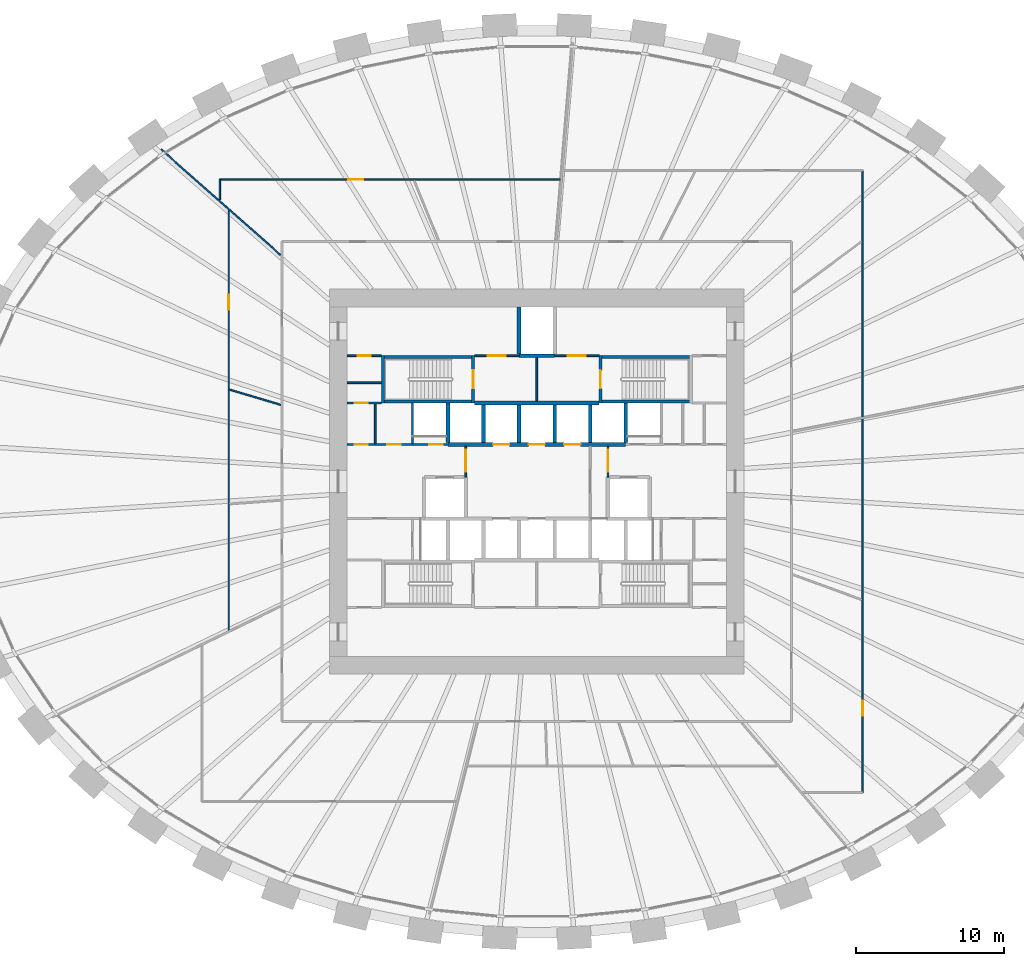
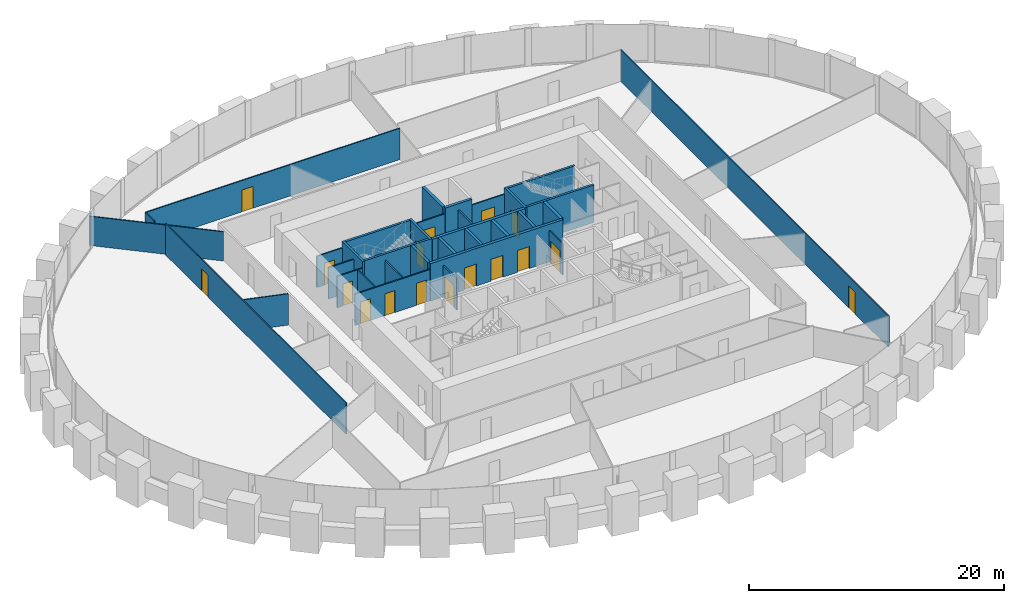
# One storey, part 8 of 10: 34 walls, 17 doors, 17 openings.
"""IFC4 building model written with IfcOpenShell, lengths in metres."""

from ifc_helpers import new_model, si_unit, direction, frame, frame_2d, origin, place, context, subcontext, project, spatial, rectangle, extrude, source, transform, mapped, material, layer, layer_set, type_object, element, fill, save


model = new_model("IFC4")

# Units and contexts
model_context = context("Model", 3, precision=1e-05, world=origin(), true_north=direction((0.0, 1.0)))
body_context = subcontext(model_context, "Body", "Model", "MODEL_VIEW")
ifc_project = project(units=[si_unit("LENGTHUNIT", "METRE"), si_unit("AREAUNIT", "SQUARE_METRE"), si_unit("VOLUMEUNIT", "CUBIC_METRE"), si_unit("PLANEANGLEUNIT", "RADIAN"), si_unit("MASSUNIT", "GRAM", prefix="KILO")], contexts=[model_context])

# Site, building, storey
site_placement = place(None, origin())
site = spatial("IfcSite", under=ifc_project, at=site_placement, CompositionType="ELEMENT")
building_placement = place(site_placement, origin())
building = spatial("IfcBuilding", under=site, at=building_placement, Name="Embergate Tower", CompositionType="ELEMENT")
storey_placement = place(building_placement, frame((0.0, 0.0, 121.10009765625)))
storey = spatial("IfcBuildingStorey", under=building, at=storey_placement, Name="L26", CompositionType="ELEMENT", Elevation=121.10009765625)

# Wall, openings, doors
ifc_material_1 = material(Name="Core partition blockwork 120")
ifc_layer_1 = layer(ifc_material_1, 0.1201171875)
ifc_layer_set_1 = layer_set([ifc_layer_1], Name="Core partition blockwork 120")
wall_type_1 = type_object("IfcWallType", Name="Core partition blockwork 120", PredefinedType="PARTITIONING", material=ifc_layer_set_1)
shared_shape_1 = source(origin(), body_context, "Body", "SweptSolid", [
    extrude(rectangle(XDim=6.800048828125, YDim=0.1201171875, at=frame_2d((3.39990234375, 0.0))), origin(), (0.0, 0.0, 1.0), 3.0),
])
wall_1_placement = place(storey_placement, frame((-12.800048828125, 2.5, 0.0), z_axis=(0.0, 0.0, 1.0), x_axis=(1.0, 0.0, 0.0)))
wall_1 = element("IfcWall", 1, at=wall_1_placement, inside=storey, type_object=wall_type_1, Name="IP-3 wall", PredefinedType="PARTITIONING", context=body_context, shape_type="MappedRepresentation", body=[
    mapped(shared_shape_1, transform((0.0, 0.0, 0.0))),
])
shared_shape_2 = source(origin(), body_context, "Body", "SweptSolid", [
    extrude(rectangle(XDim=0.89990234375, YDim=2.10009765625, at=frame_2d((0.449951171875, 1.050048828125))), frame((0.0, 0.070068359375, 0.0), z_axis=(0.0, -1.0, 0.0), x_axis=(1.0, 0.0, 0.0)), (0.0, 0.0, 1.0), 0.14013671875),
])
opening_1_placement = place(wall_1_placement, frame((5.550048828125, 0.0, 0.0)))
opening_1 = element("IfcOpeningElement", 2, at=opening_1_placement, cuts=wall_1, Name="Opening ID-1", PredefinedType="OPENING", context=body_context, shape_type="MappedRepresentation", body=[
    mapped(shared_shape_2, transform((0.0, 0.0, 0.0))),
])
opening_2_placement = place(wall_1_placement, frame((0.49609375, 0.0, 0.0)))
opening_2 = element("IfcOpeningElement", 3, at=opening_2_placement, cuts=wall_1, Name="Opening ID-1", PredefinedType="OPENING", context=body_context, shape_type="MappedRepresentation", body=[
    mapped(shared_shape_2, transform((0.0, 0.0, 0.0))),
])
opening_3_placement = place(wall_1_placement, frame((2.696044921875, 0.0, 0.0)))
opening_3 = element("IfcOpeningElement", 4, at=opening_3_placement, cuts=wall_1, Name="Opening ID-1", PredefinedType="OPENING", context=body_context, shape_type="MappedRepresentation", body=[
    mapped(shared_shape_2, transform((0.0, 0.0, 0.0))),
])
ifc_material_2 = material(Name="Interior door 900")
door_type_1 = type_object("IfcDoorType", Name="Interior door 900", OperationType="SINGLE_SWING_LEFT", PredefinedType="DOOR", material=ifc_material_2)
shared_shape_3 = source(origin(), body_context, "Body", "SweptSolid", [
    extrude(rectangle(XDim=0.89990234375, YDim=2.10009765625, at=frame_2d((0.449951171875, 1.050048828125))), frame((0.0, 0.02490234375, 0.0), z_axis=(0.0, -1.0, 0.0), x_axis=(1.0, 0.0, 0.0)), (0.0, 0.0, 1.0), 0.050048828125),
])
door_1_placement = place(opening_1_placement, origin())
door_1 = element("IfcDoor", 5, at=door_1_placement, inside=storey, type_object=door_type_1, Name="ID-1 door", OperationType="SINGLE_SWING_LEFT", OverallHeight=2.10009765625, OverallWidth=0.89990234375, PredefinedType="DOOR", context=body_context, shape_type="MappedRepresentation", body=[
    mapped(shared_shape_3, transform((0.0, 0.0, 0.0))),
])
fill(opening_1, door_1)
door_2_placement = place(opening_2_placement, origin())
door_2 = element("IfcDoor", 6, at=door_2_placement, inside=storey, type_object=door_type_1, Name="ID-1 door", OperationType="SINGLE_SWING_RIGHT", OverallHeight=2.10009765625, OverallWidth=0.89990234375, PredefinedType="DOOR", context=body_context, shape_type="MappedRepresentation", body=[
    mapped(shared_shape_3, transform((0.0, 0.0, 0.0))),
])
fill(opening_2, door_2)
door_3_placement = place(opening_3_placement, origin())
door_3 = element("IfcDoor", 7, at=door_3_placement, inside=storey, type_object=door_type_1, Name="ID-1 door", OperationType="SINGLE_SWING_RIGHT", OverallHeight=2.10009765625, OverallWidth=0.89990234375, PredefinedType="DOOR", context=body_context, shape_type="MappedRepresentation", body=[
    mapped(shared_shape_3, transform((0.0, 0.0, 0.0))),
])
fill(opening_3, door_3)

# Wall
shared_shape_4 = source(origin(), body_context, "Body", "SweptSolid", [
    extrude(rectangle(XDim=2.739990234375, YDim=0.1201171875, at=frame_2d((1.3701171875, 0.0))), origin(), (0.0, 0.0, 1.0), 3.0),
])
wall_2_placement = place(storey_placement, frame((-8.39990234375, 5.300048828125, 0.0), z_axis=(0.0, 0.0, 1.0), x_axis=(0.0, -1.0, 0.0)))
element("IfcWall", 8, at=wall_2_placement, inside=storey, type_object=wall_type_1, Name="IP-3 wall", PredefinedType="PARTITIONING", context=body_context, shape_type="MappedRepresentation", body=[
    mapped(shared_shape_4, transform((0.0, 0.0, 0.0))),
])

# Wall, opening, door
shared_shape_5 = source(origin(), body_context, "Body", "SweptSolid", [
    extrude(rectangle(XDim=2.074951171875, YDim=0.1201171875, at=frame_2d((1.03759765625, 0.0))), origin(), (0.0, 0.0, 1.0), 3.0),
])
wall_3_placement = place(storey_placement, frame((-4.800048828125, 2.375, 0.0), z_axis=(0.0, 0.0, 1.0), x_axis=(0.0, -1.0, 0.0)))
wall_3 = element("IfcWall", 9, at=wall_3_placement, inside=storey, type_object=wall_type_1, Name="IP-3 wall", PredefinedType="PARTITIONING", context=body_context, shape_type="MappedRepresentation", body=[
    mapped(shared_shape_5, transform((0.0, 0.0, 0.0))),
])
shared_shape_6 = source(origin(), body_context, "Body", "SweptSolid", [
    extrude(rectangle(XDim=1.5, YDim=2.10009765625, at=frame_2d((0.75, 1.050048828125))), frame((0.0, 0.070068359375, 0.0), z_axis=(0.0, -1.0, 0.0), x_axis=(1.0, 0.0, 0.0)), (0.0, 0.0, 1.0), 0.14013671875),
])
opening_4_placement = place(wall_3_placement, frame((0.22509765625, 0.0, 0.0)))
opening_4 = element("IfcOpeningElement", 10, at=opening_4_placement, cuts=wall_3, Name="Opening IF-3", PredefinedType="OPENING", context=body_context, shape_type="MappedRepresentation", body=[
    mapped(shared_shape_6, transform((0.0, 0.0, 0.0))),
])
ifc_material_3 = material(Name="Lobby fire door pair 1500")
door_type_2 = type_object("IfcDoorType", Name="Lobby fire door pair 1500", OperationType="DOUBLE_DOOR_SINGLE_SWING", PredefinedType="DOOR", material=ifc_material_3)
shared_shape_7 = source(origin(), body_context, "Body", "SweptSolid", [
    extrude(rectangle(XDim=1.5, YDim=2.10009765625, at=frame_2d((0.75, 1.050048828125))), frame((0.0, 0.02490234375, 0.0), z_axis=(0.0, -1.0, 0.0), x_axis=(1.0, 0.0, 0.0)), (0.0, 0.0, 1.0), 0.050048828125),
])
door_4_placement = place(opening_4_placement, origin())
door_4 = element("IfcDoor", 11, at=door_4_placement, inside=storey, type_object=door_type_2, Name="IF-3 door", OperationType="DOUBLE_DOOR_SINGLE_SWING", OverallHeight=2.10009765625, OverallWidth=1.5, PredefinedType="DOOR", context=body_context, shape_type="MappedRepresentation", body=[
    mapped(shared_shape_7, transform((0.0, 0.0, 0.0))),
])
fill(opening_4, door_4)

wall_4_placement = place(storey_placement, frame((4.800048828125, 0.300048828125, 0.0), z_axis=(0.0, 0.0, 1.0), x_axis=(0.0, 1.0, 0.0)))
wall_4 = element("IfcWall", 12, at=wall_4_placement, inside=storey, type_object=wall_type_1, Name="IP-3 wall", PredefinedType="PARTITIONING", context=body_context, shape_type="MappedRepresentation", body=[
    mapped(shared_shape_5, transform((0.0, 0.0, 0.0))),
])
opening_5_placement = place(wall_4_placement, frame((0.35009765625, 0.0, 0.0)))
opening_5 = element("IfcOpeningElement", 13, at=opening_5_placement, cuts=wall_4, Name="Opening IF-3", PredefinedType="OPENING", context=body_context, shape_type="MappedRepresentation", body=[
    mapped(shared_shape_6, transform((0.0, 0.0, 0.0))),
])
door_5_placement = place(opening_5_placement, origin())
door_5 = element("IfcDoor", 14, at=door_5_placement, inside=storey, type_object=door_type_2, Name="IF-3 door", OperationType="DOUBLE_DOOR_SINGLE_SWING", OverallHeight=2.10009765625, OverallWidth=1.5, PredefinedType="DOOR", context=body_context, shape_type="MappedRepresentation", body=[
    mapped(shared_shape_7, transform((0.0, 0.0, 0.0))),
])
fill(opening_5, door_5)

# Wall
shared_shape_8 = source(origin(), body_context, "Body", "SweptSolid", [
    extrude(rectangle(XDim=2.949951171875, YDim=0.1201171875, at=frame_2d((1.47509765625, 0.0))), origin(), (0.0, 0.0, 1.0), 3.0),
])
wall_5_placement = place(storey_placement, frame((0.0, 5.425048828125, 0.0), z_axis=(0.0, 0.0, 1.0), x_axis=(0.0, 1.0, 0.0)))
element("IfcWall", 15, at=wall_5_placement, inside=storey, type_object=wall_type_1, Name="IP-3 wall", PredefinedType="PARTITIONING", context=body_context, shape_type="MappedRepresentation", body=[
    mapped(shared_shape_8, transform((0.0, 0.0, 0.0))),
])

# Wall, opening, door
shared_shape_9 = source(origin(), body_context, "Body", "SweptSolid", [
    extrude(rectangle(XDim=3.0, YDim=0.1201171875, at=frame_2d((1.5, 0.0))), origin(), (0.0, 0.0, 1.0), 3.0),
])
wall_6_placement = place(storey_placement, frame((-1.199951171875, 8.5, 0.0), z_axis=(0.0, 0.0, 1.0), x_axis=(-1.0, 0.0, 0.0)))
wall_6 = element("IfcWall", 16, at=wall_6_placement, inside=storey, type_object=wall_type_1, Name="IP-3 wall", PredefinedType="PARTITIONING", context=body_context, shape_type="MappedRepresentation", body=[
    mapped(shared_shape_9, transform((0.0, 0.0, 0.0))),
])
shared_shape_10 = source(origin(), body_context, "Body", "SweptSolid", [
    extrude(rectangle(XDim=1.199951171875, YDim=2.10009765625, at=frame_2d((0.60009765625, 1.050048828125))), frame((0.0, 0.070068359375, 0.0), z_axis=(0.0, -1.0, 0.0), x_axis=(1.0, 0.0, 0.0)), (0.0, 0.0, 1.0), 0.14013671875),
])
opening_6_placement = place(wall_6_placement, frame((0.89990234375, 0.0, 0.0)))
opening_6 = element("IfcOpeningElement", 17, at=opening_6_placement, cuts=wall_6, Name="Opening IF-3f", PredefinedType="OPENING", context=body_context, shape_type="MappedRepresentation", body=[
    mapped(shared_shape_10, transform((0.0, 0.0, 0.0))),
])
ifc_material_4 = material(Name="Lobby fire door pair 1200")
door_type_3 = type_object("IfcDoorType", Name="Lobby fire door pair 1200", OperationType="DOUBLE_DOOR_SINGLE_SWING", PredefinedType="DOOR", material=ifc_material_4)
shared_shape_11 = source(origin(), body_context, "Body", "SweptSolid", [
    extrude(rectangle(XDim=1.199951171875, YDim=2.10009765625, at=frame_2d((0.60009765625, 1.050048828125))), frame((0.0, 0.02490234375, 0.0), z_axis=(0.0, -1.0, 0.0), x_axis=(1.0, 0.0, 0.0)), (0.0, 0.0, 1.0), 0.050048828125),
])
door_6_placement = place(opening_6_placement, origin())
door_6 = element("IfcDoor", 18, at=door_6_placement, inside=storey, type_object=door_type_3, Name="IF-3 door", OperationType="DOUBLE_DOOR_SINGLE_SWING", OverallHeight=2.10009765625, OverallWidth=1.199951171875, PredefinedType="DOOR", context=body_context, shape_type="MappedRepresentation", body=[
    mapped(shared_shape_11, transform((0.0, 0.0, 0.0))),
])
fill(opening_6, door_6)

wall_7_placement = place(storey_placement, frame((4.199951171875, 8.5, 0.0), z_axis=(0.0, 0.0, 1.0), x_axis=(-1.0, 0.0, 0.0)))
wall_7 = element("IfcWall", 19, at=wall_7_placement, inside=storey, type_object=wall_type_1, Name="IP-3 wall", PredefinedType="PARTITIONING", context=body_context, shape_type="MappedRepresentation", body=[
    mapped(shared_shape_9, transform((0.0, 0.0, 0.0))),
])
opening_7_placement = place(wall_7_placement, frame((0.89990234375, 0.0, 0.0)))
opening_7 = element("IfcOpeningElement", 20, at=opening_7_placement, cuts=wall_7, Name="Opening IF-3f", PredefinedType="OPENING", context=body_context, shape_type="MappedRepresentation", body=[
    mapped(shared_shape_10, transform((0.0, 0.0, 0.0))),
])
door_7_placement = place(opening_7_placement, origin())
door_7 = element("IfcDoor", 21, at=door_7_placement, inside=storey, type_object=door_type_3, Name="IF-3 door", OperationType="DOUBLE_DOOR_SINGLE_SWING", OverallHeight=2.10009765625, OverallWidth=1.199951171875, PredefinedType="DOOR", context=body_context, shape_type="MappedRepresentation", body=[
    mapped(shared_shape_11, transform((0.0, 0.0, 0.0))),
])
fill(opening_7, door_7)

shared_shape_12 = source(origin(), body_context, "Body", "SweptSolid", [
    extrude(rectangle(XDim=2.300048828125, YDim=0.1201171875, at=frame_2d((1.14990234375, 0.0))), origin(), (0.0, 0.0, 1.0), 3.0),
])
wall_8_placement = place(storey_placement, frame((-12.800048828125, 8.5, 0.0), z_axis=(0.0, 0.0, 1.0), x_axis=(1.0, 0.0, 0.0)))
wall_8 = element("IfcWall", 22, at=wall_8_placement, inside=storey, type_object=wall_type_1, Name="IP-3 wall", PredefinedType="PARTITIONING", context=body_context, shape_type="MappedRepresentation", body=[
    mapped(shared_shape_12, transform((0.0, 0.0, 0.0))),
])
opening_8_placement = place(wall_8_placement, frame((0.699951171875, 0.0, 0.0)))
opening_8 = element("IfcOpeningElement", 23, at=opening_8_placement, cuts=wall_8, Name="Opening ID-1", PredefinedType="OPENING", context=body_context, shape_type="MappedRepresentation", body=[
    mapped(shared_shape_2, transform((0.0, 0.0, 0.0))),
])
door_8_placement = place(opening_8_placement, origin())
door_8 = element("IfcDoor", 24, at=door_8_placement, inside=storey, type_object=door_type_1, Name="ID-1 door", OperationType="SINGLE_SWING_RIGHT", OverallHeight=2.10009765625, OverallWidth=0.89990234375, PredefinedType="DOOR", context=body_context, shape_type="MappedRepresentation", body=[
    mapped(shared_shape_3, transform((0.0, 0.0, 0.0))),
])
fill(opening_8, door_8)

wall_9_placement = place(storey_placement, frame((-10.5, 5.300048828125, 0.0), z_axis=(0.0, 0.0, 1.0), x_axis=(-1.0, 0.0, 0.0)))
wall_9 = element("IfcWall", 25, at=wall_9_placement, inside=storey, type_object=wall_type_1, Name="IP-3 wall", PredefinedType="PARTITIONING", context=body_context, shape_type="MappedRepresentation", body=[
    mapped(shared_shape_12, transform((0.0, 0.0, 0.0))),
])
opening_9_placement = place(wall_9_placement, frame((0.904052734375, 0.0, 0.0)))
opening_9 = element("IfcOpeningElement", 26, at=opening_9_placement, cuts=wall_9, Name="Opening ID-1", PredefinedType="OPENING", context=body_context, shape_type="MappedRepresentation", body=[
    mapped(shared_shape_2, transform((0.0, 0.0, 0.0))),
])
door_9_placement = place(opening_9_placement, origin())
door_9 = element("IfcDoor", 27, at=door_9_placement, inside=storey, type_object=door_type_1, Name="ID-1 door", OperationType="SINGLE_SWING_RIGHT", OverallHeight=2.10009765625, OverallWidth=0.89990234375, PredefinedType="DOOR", context=body_context, shape_type="MappedRepresentation", body=[
    mapped(shared_shape_3, transform((0.0, 0.0, 0.0))),
])
fill(opening_9, door_9)

# Walls
wall_10_placement = place(storey_placement, frame((-10.5, 6.676025390625, 0.0), z_axis=(0.0, 0.0, 1.0), x_axis=(-1.0, 0.0, 0.0)))
element("IfcWall", 28, at=wall_10_placement, inside=storey, type_object=wall_type_1, Name="IP-3 wall", PredefinedType="PARTITIONING", context=body_context, shape_type="MappedRepresentation", body=[
    mapped(shared_shape_12, transform((0.0, 0.0, 0.0))),
])
shared_shape_13 = source(origin(), body_context, "Body", "SweptSolid", [
    extrude(rectangle(XDim=2.679931640625, YDim=0.1201171875, at=frame_2d((1.33984375, 0.0))), origin(), (0.0, 0.0, 1.0), 3.0),
])
wall_11_placement = place(storey_placement, frame((-10.907958984375, 2.56005859375, 0.0), z_axis=(0.0, 0.0, 1.0), x_axis=(0.0, 1.0, 0.0)))
element("IfcWall", 29, at=wall_11_placement, inside=storey, type_object=wall_type_1, Name="IP-3 wall", PredefinedType="PARTITIONING", context=body_context, shape_type="MappedRepresentation", body=[
    mapped(shared_shape_13, transform((0.0, 0.0, 0.0))),
])
ifc_material_5 = material(Name="Concrete C50", Category="concrete")
ifc_layer_2 = layer(ifc_material_5, 0.25)
ifc_layer_set_2 = layer_set([ifc_layer_2], Name="Concrete C50")
wall_type_2 = type_object("IfcWallType", Name="Hoistway wall reinforced concrete 250", PredefinedType="SHEAR", material=ifc_layer_set_2)
shared_shape_14 = source(origin(), body_context, "Body", "SweptSolid", [
    extrude(rectangle(XDim=2.675048828125, YDim=0.25, at=frame_2d((1.33740234375, 0.0))), origin(), (0.0, 0.0, 1.0), 3.599853515625),
])
for number, where, z_axis, x_axis, name in (
    (30, (-6.0, 2.625, 0.0), (0.0, 0.0, 1.0), (0.0, 1.0, 0.0), "HW-1 wall"),
    (31, (6.0, 2.625, 0.0), (0.0, 0.0, 1.0), (0.0, 1.0, 0.0), "HW-1 wall"),
):
    element("IfcWall", number, at=place(storey_placement, frame(where, z_axis=z_axis, x_axis=x_axis)), inside=storey, type_object=wall_type_2, Name=name, PredefinedType="SHEAR", context=body_context, shape_type="MappedRepresentation", body=[
        mapped(shared_shape_14, transform((0.0, 0.0, 0.0))),
    ])
ifc_layer_3 = layer(ifc_material_5, 0.199951171875)
ifc_layer_set_3 = layer_set([ifc_layer_3], Name="Concrete C50")
wall_type_3 = type_object("IfcWallType", Name="Stair enclosure wall reinforced concrete 250", PredefinedType="SHEAR", material=ifc_layer_set_3)
shared_shape_15 = source(origin(), body_context, "Body", "SweptSolid", [
    extrude(rectangle(XDim=6.300048828125, YDim=0.199951171875, at=frame_2d((3.14990234375, 0.0))), origin(), (0.0, 0.0, 1.0), 3.599853515625),
])
for number, where, z_axis, x_axis, name in (
    (32, (-4.199951171875, 5.39990234375, 0.0), (0.0, 0.0, 1.0), (-1.0, 0.0, 0.0), "SE-1 wall"),
    (33, (10.5, 5.39990234375, 0.0), (0.0, 0.0, 1.0), (-1.0, 0.0, 0.0), "SE-1 wall"),
    (34, (-4.199951171875, 8.39990234375, 0.0), (0.0, 0.0, 1.0), (-1.0, 0.0, 0.0), "SE-1 wall"),
    (35, (10.5, 8.39990234375, 0.0), (0.0, 0.0, 1.0), (-1.0, 0.0, 0.0), "SE-1 wall"),
):
    element("IfcWall", number, at=place(storey_placement, frame(where, z_axis=z_axis, x_axis=x_axis)), inside=storey, type_object=wall_type_3, Name=name, PredefinedType="SHEAR", context=body_context, shape_type="MappedRepresentation", body=[
        mapped(shared_shape_15, transform((0.0, 0.0, 0.0))),
    ])
shared_shape_16 = source(origin(), body_context, "Body", "SweptSolid", [
    extrude(rectangle(XDim=2.550048828125, YDim=0.25, at=frame_2d((1.27490234375, 0.0))), origin(), (0.0, 0.0, 1.0), 3.599853515625),
])
for number, where, z_axis, x_axis, name in (
    (36, (-3.60009765625, 2.625, 0.0), (0.0, 0.0, 1.0), (0.0, 1.0, 0.0), "HW-1 wall"),
    (37, (-1.199951171875, 2.625, 0.0), (0.0, 0.0, 1.0), (0.0, 1.0, 0.0), "HW-1 wall"),
    (38, (1.199951171875, 2.625, 0.0), (0.0, 0.0, 1.0), (0.0, 1.0, 0.0), "HW-1 wall"),
    (39, (3.60009765625, 2.625, 0.0), (0.0, 0.0, 1.0), (0.0, 1.0, 0.0), "HW-1 wall"),
):
    element("IfcWall", number, at=place(storey_placement, frame(where, z_axis=z_axis, x_axis=x_axis)), inside=storey, type_object=wall_type_2, Name=name, PredefinedType="SHEAR", context=body_context, shape_type="MappedRepresentation", body=[
        mapped(shared_shape_16, transform((0.0, 0.0, 0.0))),
    ])

# Wall, openings, doors
shared_shape_17 = source(origin(), body_context, "Body", "SweptSolid", [
    extrude(rectangle(XDim=12.0, YDim=0.25, at=frame_2d((6.0, 0.0))), origin(), (0.0, 0.0, 1.0), 3.599853515625),
])
wall_12_placement = place(storey_placement, frame((-6.0, 2.5, 0.0), z_axis=(0.0, 0.0, 1.0), x_axis=(1.0, 0.0, 0.0)))
wall_12 = element("IfcWall", 40, at=wall_12_placement, inside=storey, type_object=wall_type_2, Name="HW-1 wall", PredefinedType="SHEAR", context=body_context, shape_type="MappedRepresentation", body=[
    mapped(shared_shape_17, transform((0.0, 0.0, 0.0))),
])
shared_shape_18 = source(origin(), body_context, "Body", "SweptSolid", [
    extrude(rectangle(XDim=1.10009765625, YDim=2.10009765625, at=frame_2d((0.550048828125, 1.050048828125))), frame((0.0, 0.135009765625, 0.0), z_axis=(0.0, -1.0, 0.0), x_axis=(1.0, 0.0, 0.0)), (0.0, 0.0, 1.0), 0.27001953125),
])
opening_10_placement = place(wall_12_placement, frame((3.050048828125, 0.0, 0.0)))
opening_10 = element("IfcOpeningElement", 41, at=opening_10_placement, cuts=wall_12, Name="Opening LD", PredefinedType="OPENING", context=body_context, shape_type="MappedRepresentation", body=[
    mapped(shared_shape_18, transform((0.0, 0.0, 0.0))),
])
opening_11_placement = place(wall_12_placement, frame((5.449951171875, 0.0, 0.0)))
opening_11 = element("IfcOpeningElement", 42, at=opening_11_placement, cuts=wall_12, Name="Opening LD", PredefinedType="OPENING", context=body_context, shape_type="MappedRepresentation", body=[
    mapped(shared_shape_18, transform((0.0, 0.0, 0.0))),
])
opening_12_placement = place(wall_12_placement, frame((7.85009765625, 0.0, 0.0)))
opening_12 = element("IfcOpeningElement", 43, at=opening_12_placement, cuts=wall_12, Name="Opening LD", PredefinedType="OPENING", context=body_context, shape_type="MappedRepresentation", body=[
    mapped(shared_shape_18, transform((0.0, 0.0, 0.0))),
])
ifc_material_6 = material(Name="Landing door sliding 1100")
door_type_4 = type_object("IfcDoorType", Name="Landing door sliding 1100", OperationType="SLIDING_TO_LEFT", PredefinedType="DOOR", material=ifc_material_6)
shared_shape_19 = source(origin(), body_context, "Body", "SweptSolid", [
    extrude(rectangle(XDim=1.10009765625, YDim=2.10009765625, at=frame_2d((0.550048828125, 1.050048828125))), frame((0.0, 0.02490234375, 0.0), z_axis=(0.0, -1.0, 0.0), x_axis=(1.0, 0.0, 0.0)), (0.0, 0.0, 1.0), 0.050048828125),
])
door_10_placement = place(opening_10_placement, origin())
door_10 = element("IfcDoor", 44, at=door_10_placement, inside=storey, type_object=door_type_4, Name="LD door", OperationType="SLIDING_TO_RIGHT", OverallHeight=2.10009765625, OverallWidth=1.10009765625, PredefinedType="DOOR", context=body_context, shape_type="MappedRepresentation", body=[
    mapped(shared_shape_19, transform((0.0, 0.0, 0.0))),
])
fill(opening_10, door_10)
door_11_placement = place(opening_11_placement, origin())
door_11 = element("IfcDoor", 45, at=door_11_placement, inside=storey, type_object=door_type_4, Name="LD door", OperationType="SLIDING_TO_RIGHT", OverallHeight=2.10009765625, OverallWidth=1.10009765625, PredefinedType="DOOR", context=body_context, shape_type="MappedRepresentation", body=[
    mapped(shared_shape_19, transform((0.0, 0.0, 0.0))),
])
fill(opening_11, door_11)
door_12_placement = place(opening_12_placement, origin())
door_12 = element("IfcDoor", 46, at=door_12_placement, inside=storey, type_object=door_type_4, Name="LD door", OperationType="SLIDING_TO_RIGHT", OverallHeight=2.10009765625, OverallWidth=1.10009765625, PredefinedType="DOOR", context=body_context, shape_type="MappedRepresentation", body=[
    mapped(shared_shape_19, transform((0.0, 0.0, 0.0))),
])
fill(opening_12, door_12)

# Wall
shared_shape_20 = source(origin(), body_context, "Body", "SweptSolid", [
    extrude(rectangle(XDim=8.39990234375, YDim=0.25, at=frame_2d((4.199951171875, 0.0))), origin(), (0.0, 0.0, 1.0), 3.599853515625),
])
wall_13_placement = place(storey_placement, frame((4.199951171875, 5.300048828125, 0.0), z_axis=(0.0, 0.0, 1.0), x_axis=(-1.0, 0.0, 0.0)))
element("IfcWall", 47, at=wall_13_placement, inside=storey, type_object=wall_type_2, Name="HW-1 wall", PredefinedType="SHEAR", context=body_context, shape_type="MappedRepresentation", body=[
    mapped(shared_shape_20, transform((0.0, 0.0, 0.0))),
])

# Wall, opening, door
shared_shape_21 = source(origin(), body_context, "Body", "SweptSolid", [
    extrude(rectangle(XDim=3.199951171875, YDim=0.199951171875, at=frame_2d((1.60009765625, 0.0))), origin(), (0.0, 0.0, 1.0), 3.599853515625),
])
wall_14_placement = place(storey_placement, frame((-4.300048828125, 5.300048828125, 0.0), z_axis=(0.0, 0.0, 1.0), x_axis=(0.0, 1.0, 0.0)))
wall_14 = element("IfcWall", 48, at=wall_14_placement, inside=storey, type_object=wall_type_3, Name="SE-1 wall", PredefinedType="SHEAR", context=body_context, shape_type="MappedRepresentation", body=[
    mapped(shared_shape_21, transform((0.0, 0.0, 0.0))),
])
shared_shape_22 = source(origin(), body_context, "Body", "SweptSolid", [
    extrude(rectangle(XDim=1.199951171875, YDim=2.10009765625, at=frame_2d((0.60009765625, 1.050048828125))), frame((0.0, 0.10986328125, 0.0), z_axis=(0.0, -1.0, 0.0), x_axis=(1.0, 0.0, 0.0)), (0.0, 0.0, 1.0), 0.219970703125),
])
opening_13_placement = place(wall_14_placement, frame((1.0, 0.0, 0.0)))
opening_13 = element("IfcOpeningElement", 49, at=opening_13_placement, cuts=wall_14, Name="Opening IF-2", PredefinedType="OPENING", context=body_context, shape_type="MappedRepresentation", body=[
    mapped(shared_shape_22, transform((0.0, 0.0, 0.0))),
])
ifc_material_7 = material(Name="Stair enclosure door 1200")
door_type_5 = type_object("IfcDoorType", Name="Stair enclosure door 1200", OperationType="SINGLE_SWING_LEFT", PredefinedType="DOOR", material=ifc_material_7)
door_13_placement = place(opening_13_placement, origin())
door_13 = element("IfcDoor", 50, at=door_13_placement, inside=storey, type_object=door_type_5, Name="IF-2 door", OperationType="SINGLE_SWING_RIGHT", OverallHeight=2.10009765625, OverallWidth=1.199951171875, PredefinedType="DOOR", context=body_context, shape_type="MappedRepresentation", body=[
    mapped(shared_shape_11, transform((0.0, 0.0, 0.0))),
])
fill(opening_13, door_13)

# Wall
wall_15_placement = place(storey_placement, frame((-10.39990234375, 8.5, 0.0), z_axis=(0.0, 0.0, 1.0), x_axis=(0.0, -1.0, 0.0)))
element("IfcWall", 51, at=wall_15_placement, inside=storey, type_object=wall_type_3, Name="SE-1 wall", PredefinedType="SHEAR", context=body_context, shape_type="MappedRepresentation", body=[
    mapped(shared_shape_21, transform((0.0, 0.0, 0.0))),
])

# Wall, opening, door
wall_16_placement = place(storey_placement, frame((4.300048828125, 8.5, 0.0), z_axis=(0.0, 0.0, 1.0), x_axis=(0.0, -1.0, 0.0)))
wall_16 = element("IfcWall", 52, at=wall_16_placement, inside=storey, type_object=wall_type_3, Name="SE-1 wall", PredefinedType="SHEAR", context=body_context, shape_type="MappedRepresentation", body=[
    mapped(shared_shape_21, transform((0.0, 0.0, 0.0))),
])
opening_14_placement = place(wall_16_placement, frame((1.0, 0.0, 0.0)))
opening_14 = element("IfcOpeningElement", 53, at=opening_14_placement, cuts=wall_16, Name="Opening IF-2", PredefinedType="OPENING", context=body_context, shape_type="MappedRepresentation", body=[
    mapped(shared_shape_22, transform((0.0, 0.0, 0.0))),
])
door_14_placement = place(opening_14_placement, origin())
door_14 = element("IfcDoor", 54, at=door_14_placement, inside=storey, type_object=door_type_5, Name="IF-2 door", OperationType="SINGLE_SWING_LEFT", OverallHeight=2.10009765625, OverallWidth=1.199951171875, PredefinedType="DOOR", context=body_context, shape_type="MappedRepresentation", body=[
    mapped(shared_shape_11, transform((0.0, 0.0, 0.0))),
])
fill(opening_14, door_14)

# Walls
shared_shape_23 = source(origin(), body_context, "Body", "SweptSolid", [
    extrude(rectangle(XDim=2.39990234375, YDim=0.25, at=frame_2d((1.199951171875, 0.0))), origin(), (0.0, 0.0, 1.0), 3.599853515625),
])
wall_17_placement = place(storey_placement, frame((1.199951171875, 8.5, 0.0), z_axis=(0.0, 0.0, 1.0), x_axis=(-1.0, 0.0, 0.0)))
element("IfcWall", 55, at=wall_17_placement, inside=storey, type_object=wall_type_2, Name="HW-1 wall", PredefinedType="SHEAR", context=body_context, shape_type="MappedRepresentation", body=[
    mapped(shared_shape_23, transform((0.0, 0.0, 0.0))),
])
shared_shape_24 = source(origin(), body_context, "Body", "SweptSolid", [
    extrude(rectangle(XDim=3.175048828125, YDim=0.25, at=frame_2d((1.58740234375, 0.0))), origin(), (0.0, 0.0, 1.0), 3.599853515625),
])
wall_18_placement = place(storey_placement, frame((-1.199951171875, 8.625, 0.0), z_axis=(0.0, 0.0, 1.0), x_axis=(0.0, 1.0, 0.0)))
element("IfcWall", 56, at=wall_18_placement, inside=storey, type_object=wall_type_2, Name="HW-1 wall", PredefinedType="SHEAR", context=body_context, shape_type="MappedRepresentation", body=[
    mapped(shared_shape_24, transform((0.0, 0.0, 0.0))),
])

# Wall, opening, door
ifc_material_8 = material(Name="Partition dry-lined 100")
ifc_layer_4 = layer(ifc_material_8, 0.10009765625)
ifc_layer_set_4 = layer_set([ifc_layer_4], Name="Partition dry-lined 100")
wall_type_4 = type_object("IfcWallType", Name="Partition dry-lined 100", PredefinedType="PARTITIONING", material=ifc_layer_set_4)
shared_shape_25 = source(origin(), body_context, "Body", "SweptSolid", [
    extrude(rectangle(XDim=42.0, YDim=0.10009765625, at=frame_2d((21.0, 0.0))), origin(), (0.0, 0.0, 1.0), 3.0),
])
wall_19_placement = place(storey_placement, frame((22.0, 21.0, 0.0), z_axis=(0.0, 0.0, 1.0), x_axis=(0.0, -1.0, 0.0)))
wall_19 = element("IfcWall", 57, at=wall_19_placement, inside=storey, type_object=wall_type_4, Name="IP-1 wall", PredefinedType="PARTITIONING", context=body_context, shape_type="MappedRepresentation", body=[
    mapped(shared_shape_25, transform((0.0, 0.0, 0.0))),
])
shared_shape_26 = source(origin(), body_context, "Body", "SweptSolid", [
    extrude(rectangle(XDim=1.0, YDim=2.10009765625, at=frame_2d((0.5, 1.050048828125))), frame((0.0, 0.06005859375, 0.0), z_axis=(0.0, -1.0, 0.0), x_axis=(1.0, 0.0, 0.0)), (0.0, 0.0, 1.0), 0.1201171875),
])
opening_15_placement = place(wall_19_placement, frame((35.798095703125, 0.0, 0.0)))
opening_15 = element("IfcOpeningElement", 58, at=opening_15_placement, cuts=wall_19, Name="Opening ID-2", PredefinedType="OPENING", context=body_context, shape_type="MappedRepresentation", body=[
    mapped(shared_shape_26, transform((0.0, 0.0, 0.0))),
])
ifc_material_9 = material(Name="Interior door 1000")
door_type_6 = type_object("IfcDoorType", Name="Interior door 1000", OperationType="SINGLE_SWING_LEFT", PredefinedType="DOOR", material=ifc_material_9)
shared_shape_27 = source(origin(), body_context, "Body", "SweptSolid", [
    extrude(rectangle(XDim=1.0, YDim=2.10009765625, at=frame_2d((0.5, 1.050048828125))), frame((0.0, 0.02490234375, 0.0), z_axis=(0.0, -1.0, 0.0), x_axis=(1.0, 0.0, 0.0)), (0.0, 0.0, 1.0), 0.050048828125),
])
door_15_placement = place(opening_15_placement, origin())
door_15 = element("IfcDoor", 59, at=door_15_placement, inside=storey, type_object=door_type_6, Name="ID-2 door", OperationType="SINGLE_SWING_RIGHT", OverallHeight=2.10009765625, OverallWidth=1.0, PredefinedType="DOOR", context=body_context, shape_type="MappedRepresentation", body=[
    mapped(shared_shape_27, transform((0.0, 0.0, 0.0))),
])
fill(opening_15, door_15)

shared_shape_28 = source(origin(), body_context, "Body", "SweptSolid", [
    extrude(rectangle(XDim=23.017822265625, YDim=0.10009765625, at=frame_2d((11.5087890625, 0.0))), origin(), (0.0, 0.0, 1.0), 3.0),
])
wall_20_placement = place(storey_placement, frame((1.617919921875, 20.39990234375, 0.0), z_axis=(0.0, 0.0, 1.0), x_axis=(-1.0, 0.0, 0.0)))
wall_20 = element("IfcWall", 60, at=wall_20_placement, inside=storey, type_object=wall_type_4, Name="IP-1 wall", PredefinedType="PARTITIONING", context=body_context, shape_type="MappedRepresentation", body=[
    mapped(shared_shape_28, transform((0.0, 0.0, 0.0))),
])
opening_16_placement = place(wall_20_placement, frame((13.333251953125, 0.0, 0.0)))
opening_16 = element("IfcOpeningElement", 61, at=opening_16_placement, cuts=wall_20, Name="Opening ID-2", PredefinedType="OPENING", context=body_context, shape_type="MappedRepresentation", body=[
    mapped(shared_shape_26, transform((0.0, 0.0, 0.0))),
])
door_16_placement = place(opening_16_placement, origin())
door_16 = element("IfcDoor", 62, at=door_16_placement, inside=storey, type_object=door_type_6, Name="ID-2 door", OperationType="SINGLE_SWING_RIGHT", OverallHeight=2.10009765625, OverallWidth=1.0, PredefinedType="DOOR", context=body_context, shape_type="MappedRepresentation", body=[
    mapped(shared_shape_27, transform((0.0, 0.0, 0.0))),
])
fill(opening_16, door_16)

# Walls
shared_shape_29 = source(origin(), body_context, "Body", "SweptSolid", [
    extrude(rectangle(XDim=1.367919921875, YDim=0.10009765625, at=frame_2d((0.68408203125, 0.0))), origin(), (0.0, 0.0, 1.0), 3.0),
])
wall_21_placement = place(storey_placement, frame((-21.39990234375, 19.031982421875, 0.0), z_axis=(0.0, 0.0, 1.0), x_axis=(0.0, 1.0, 0.0)))
element("IfcWall", 63, at=wall_21_placement, inside=storey, type_object=wall_type_4, Name="IP-1 wall", PredefinedType="PARTITIONING", context=body_context, shape_type="MappedRepresentation", body=[
    mapped(shared_shape_29, transform((0.0, 0.0, 0.0))),
])
shared_shape_30 = source(origin(), body_context, "Body", "SweptSolid", [
    extrude(rectangle(XDim=10.761962890625, YDim=0.10009765625, at=frame_2d((5.380859375, 0.0))), origin(), (0.0, 0.0, 1.0), 2.7998046875),
])
wall_22_placement = place(storey_placement, frame((-17.30810546875, 15.302978515625, 0.0), z_axis=(0.0, 0.0, 1.0), x_axis=(-0.749129047392, 0.662424086483, 0.0)))
element("IfcWall", 64, at=wall_22_placement, inside=storey, type_object=wall_type_4, Name="IP-1 wall", PredefinedType="PARTITIONING", context=body_context, shape_type="MappedRepresentation", body=[
    mapped(shared_shape_30, transform((0.0, 0.0, 0.0))),
])
shared_shape_31 = source(origin(), body_context, "Body", "SweptSolid", [
    extrude(rectangle(XDim=3.59814453125, YDim=0.10009765625, at=frame_2d((1.799072265625, 0.0))), origin(), (0.0, 0.0, 1.0), 3.0),
])
wall_23_placement = place(storey_placement, frame((-17.2890625, 5.177001953125, 0.0), z_axis=(0.0, 0.0, 1.0), x_axis=(-0.957988601083, 0.28680627642, 0.0)))
element("IfcWall", 65, at=wall_23_placement, inside=storey, type_object=wall_type_4, Name="IP-1 wall", PredefinedType="PARTITIONING", context=body_context, shape_type="MappedRepresentation", body=[
    mapped(shared_shape_31, transform((0.0, 0.0, 0.0))),
])

# Wall, opening, door
shared_shape_32 = source(origin(), body_context, "Body", "SweptSolid", [
    extrude(rectangle(XDim=28.325927734375, YDim=0.10009765625, at=frame_2d((14.1630859375, 0.0))), origin(), (0.0, 0.0, 1.0), 3.0),
])
wall_24_placement = place(storey_placement, frame((-20.800048828125, -10.0458984375, 0.0), z_axis=(0.0, 0.0, 1.0), x_axis=(0.0, 1.0, 0.0)))
wall_24 = element("IfcWall", 66, at=wall_24_placement, inside=storey, type_object=wall_type_4, Name="IP-1 wall", PredefinedType="PARTITIONING", context=body_context, shape_type="MappedRepresentation", body=[
    mapped(shared_shape_32, transform((0.0, 0.0, 0.0))),
])
opening_17_placement = place(wall_24_placement, frame((21.6435546875, 0.0, 0.0)))
opening_17 = element("IfcOpeningElement", 67, at=opening_17_placement, cuts=wall_24, Name="Opening ID-2", PredefinedType="OPENING", context=body_context, shape_type="MappedRepresentation", body=[
    mapped(shared_shape_26, transform((0.0, 0.0, 0.0))),
])
door_17_placement = place(opening_17_placement, origin())
door_17 = element("IfcDoor", 68, at=door_17_placement, inside=storey, type_object=door_type_6, Name="ID-2 door", OperationType="SINGLE_SWING_LEFT", OverallHeight=2.10009765625, OverallWidth=1.0, PredefinedType="DOOR", context=body_context, shape_type="MappedRepresentation", body=[
    mapped(shared_shape_27, transform((0.0, 0.0, 0.0))),
])
fill(opening_17, door_17)

save(model, "model.ifc")
